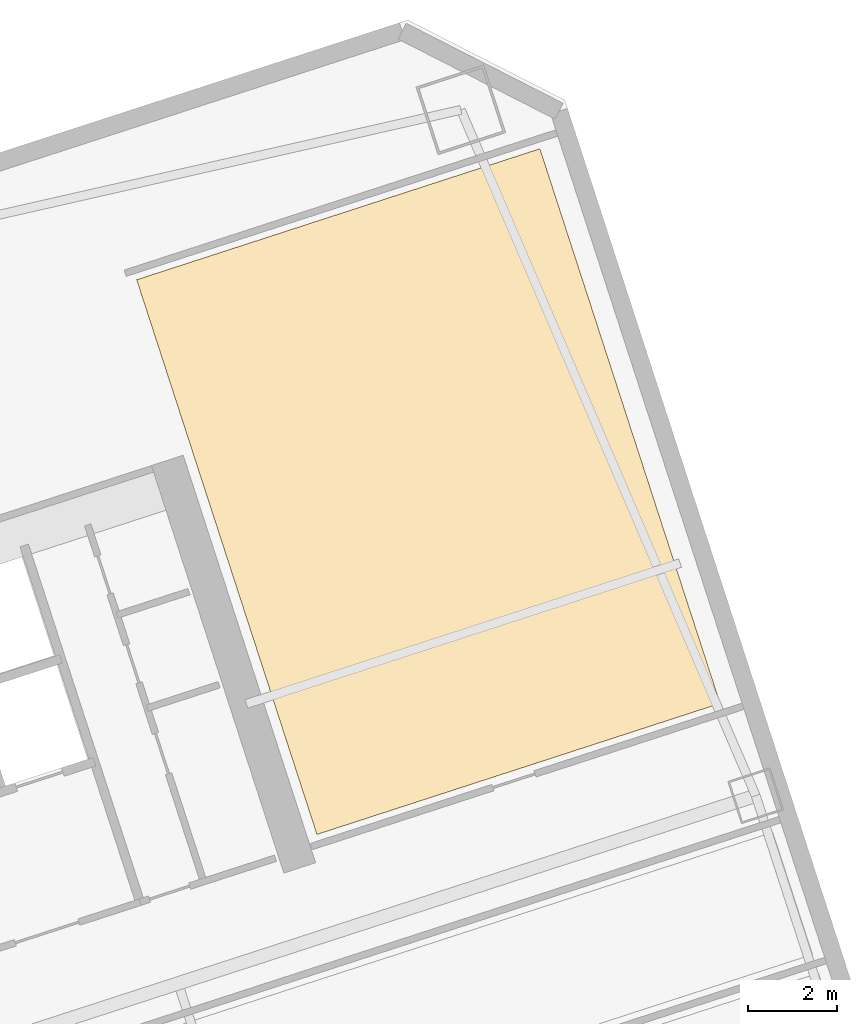
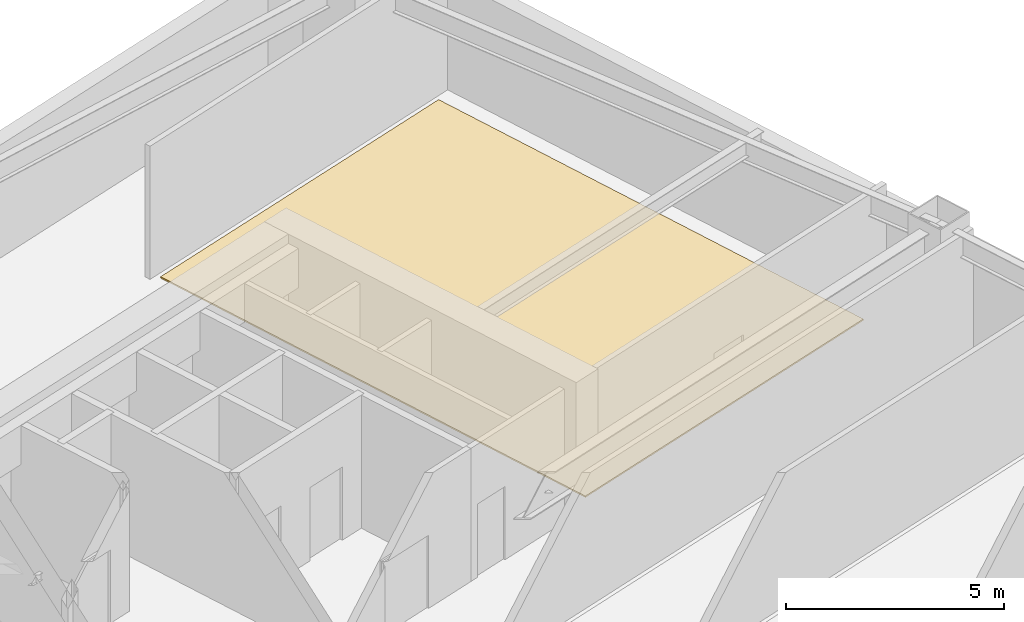
# One storey, part 24 of 24: 1 covering.
"""IFC4 building model written with IfcOpenShell, lengths in metres."""

from ifc_helpers import new_model, si_unit, direction, frame, origin, place, context, subcontext, project, spatial, polyline, outline, extrude, material, layer, layer_set, type_object, element, save


model = new_model("IFC4")

# Units and contexts
model_context = context("Model", 3, precision=1e-05, world=origin(), true_north=direction((0.0, 1.0)))
body_context = subcontext(model_context, "Body", "Model", "MODEL_VIEW")
ifc_project = project(units=[si_unit("LENGTHUNIT", "METRE"), si_unit("AREAUNIT", "SQUARE_METRE"), si_unit("VOLUMEUNIT", "CUBIC_METRE"), si_unit("PLANEANGLEUNIT", "RADIAN"), si_unit("MASSUNIT", "GRAM", prefix="KILO")], contexts=[model_context])

# Site, building, storey
site_placement = place(None, origin())
site = spatial("IfcSite", under=ifc_project, at=site_placement, CompositionType="ELEMENT")
building_placement = place(site_placement, origin())
building = spatial("IfcBuilding", under=site, at=building_placement, Name="Qiaolan Cultural Towers", CompositionType="ELEMENT")
storey_placement = place(building_placement, frame((0.0, 0.0, 30.0)))
storey = spatial("IfcBuildingStorey", under=building, at=storey_placement, Name="L06", CompositionType="ELEMENT", Elevation=30.0)

# Covering
ifc_material = material(Name="Honed Terrazzo & Raised Access Flooring", Category="concrete")
ifc_layer = layer(ifc_material, 0.0400390625)
ifc_layer_set = layer_set([ifc_layer], Name="Honed Terrazzo & Raised Access Flooring")
covering_type = type_object("IfcCoveringType", Name="COV-FLR-STONE", PredefinedType="FLOORING", material=ifc_layer_set)
covering_placement = place(storey_placement, origin())
element("IfcCovering", 1, at=covering_placement, inside=storey, type_object=covering_type, Name="L06 Corner Gallery Exhibition Room Finish Flooring", PredefinedType="FLOORING", context=body_context, shape_type="SweptSolid", body=[
    extrude(outline(polyline([(103.965576171875, 50.335205078125), (99.91455078125, 62.803466796875), (90.850830078125, 59.858642578125), (94.902099609375, 47.39013671875), (103.965576171875, 50.335205078125)])), origin(), (0.0, 0.0, 1.0), 0.0400390625),
])

save(model, "model.ifc")
